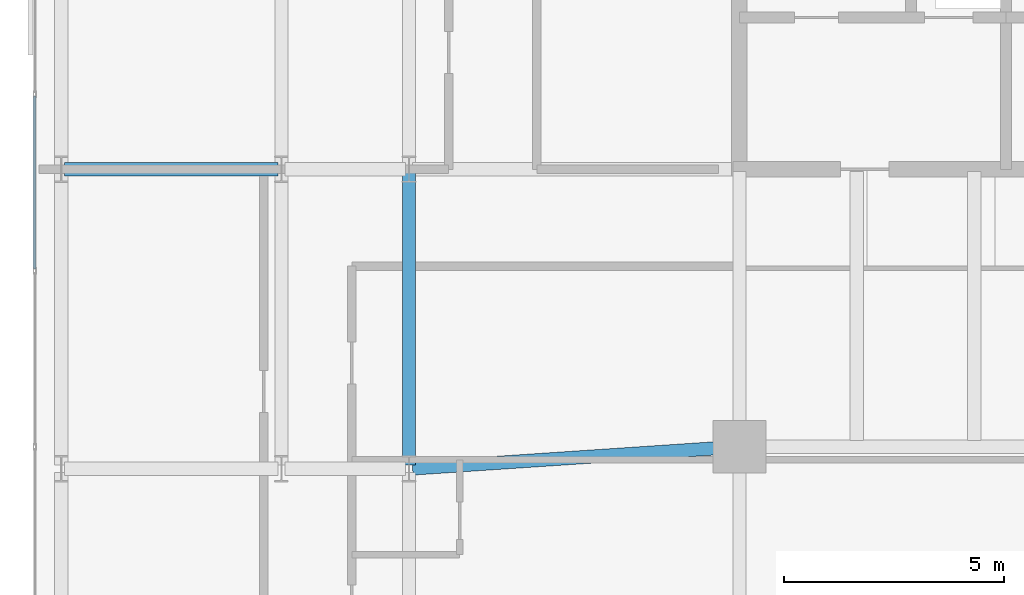
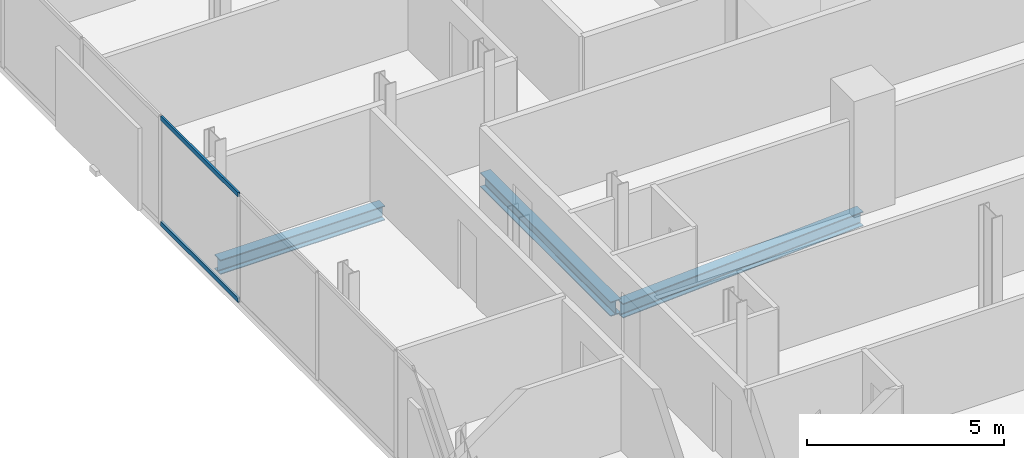
# One storey, part 10 of 32: 3 beams, 2 members, 1 element without a shape of its own.
"""IFC4 building model written with IfcOpenShell, lengths in metres."""

from ifc_helpers import new_model, si_unit, direction, frame, origin, origin_2d, place, context, subcontext, project, spatial, hollow_rectangle, i_section, extrude, material, layer, layer_set, material_profile, profile_set, type_object, element, aggregate, save


model = new_model("IFC4")

# Units and contexts
model_context = context("Model", 3, precision=1e-05, world=origin(), true_north=direction((0.0, 1.0)))
body_context = subcontext(model_context, "Body", "Model", "MODEL_VIEW")
ifc_project = project(units=[si_unit("LENGTHUNIT", "METRE"), si_unit("AREAUNIT", "SQUARE_METRE"), si_unit("VOLUMEUNIT", "CUBIC_METRE"), si_unit("PLANEANGLEUNIT", "RADIAN"), si_unit("MASSUNIT", "GRAM", prefix="KILO")], contexts=[model_context])

# Site, building, storey
site_placement = place(None, origin())
site = spatial("IfcSite", under=ifc_project, at=site_placement, CompositionType="ELEMENT")
building_placement = place(site_placement, origin())
building = spatial("IfcBuilding", under=site, at=building_placement, Name="Catumbela Crestline Tower", CompositionType="ELEMENT")
storey_placement = place(building_placement, frame((0.0, 0.0, 122.4)))
storey = spatial("IfcBuildingStorey", under=building, at=storey_placement, Name="L31", CompositionType="ELEMENT", Elevation=122.4)

# Beams
ifc_material_1 = material(Name="Structural steel S355J2", Category="steel")
ifc_material_profile_1 = material_profile(ifc_material_1, i_section(OverallWidth=0.3, OverallDepth=0.45, WebThickness=0.014, FlangeThickness=0.026, FilletRadius=0.027, at=origin_2d()), Name="HEB 450")
ifc_profile_set_1 = profile_set([ifc_material_profile_1], Name="Structural steel S355J2")
beam_type = type_object("IfcBeamType", Name="BG-HEB450", PredefinedType="BEAM", material=ifc_profile_set_1)
beam_1_placement = place(storey_placement, frame((8.5798, 24.0053, -0.485), z_axis=(0.997784796964, 0.066524423687, 0.0), x_axis=(-0.066524423687, 0.997784796964, 0.0)))
element("IfcBeam", 1, at=beam_1_placement, inside=storey, type_object=beam_type, Name="L31 Beam BM-L31-S03", PredefinedType="BEAM", context=body_context, shape_type="SweptSolid", body=[
    extrude(i_section(OverallWidth=0.3, OverallDepth=0.45, WebThickness=0.014, FlangeThickness=0.026, FilletRadius=0.027, at=origin_2d()), origin(), (0.0, 0.0, 1.0), 7.3567),
])
beam_2_placement = place(storey_placement, frame((0.68, 30.8, -0.485), z_axis=(1.0, 0.0, 0.0), x_axis=(0.0, 1.0, 0.0)))
element("IfcBeam", 2, at=beam_2_placement, inside=storey, type_object=beam_type, Name="L31 Beam BM-L31-M07", PredefinedType="BEAM", context=body_context, shape_type="SweptSolid", body=[
    extrude(i_section(OverallWidth=0.3, OverallDepth=0.45, WebThickness=0.014, FlangeThickness=0.026, FilletRadius=0.027, at=origin_2d()), origin(), (0.0, 0.0, 1.0), 4.84),
])
beam_3_placement = place(storey_placement, frame((8.5, 24.08, -0.485), z_axis=(0.0, 1.0, 0.0), x_axis=(-1.0, 0.0, 0.0)))
element("IfcBeam", 3, at=beam_3_placement, inside=storey, type_object=beam_type, Name="L31 Beam BM-L31-SN26", PredefinedType="BEAM", context=body_context, shape_type="SweptSolid", body=[
    extrude(i_section(OverallWidth=0.3, OverallDepth=0.45, WebThickness=0.014, FlangeThickness=0.026, FilletRadius=0.027, at=origin_2d()), origin(), (0.0, 0.0, 1.0), 6.64),
])

# Curtain wall, members
ifc_material_2 = material(Name="Aluminium alloy AW-6060-T66", Category="aluminium")
ifc_layer = layer(ifc_material_2, 0.18, Name="Aluminium alloy AW-6060-T66")
ifc_layer_set = layer_set([ifc_layer], Name="Aluminium alloy AW-6060-T66")
curtain_wall_type = type_object("IfcCurtainWallType", Name="CWU-Z2", PredefinedType="USERDEFINED", material=ifc_layer_set)
curtain_wall_placement = place(storey_placement, origin())
curtain_wall = element("IfcCurtainWall", 4, at=curtain_wall_placement, inside=storey, type_object=curtain_wall_type, Name="L31 Unitised Curtain Wall CW-L31-E9S1", ObjectType="UNITISED", PredefinedType="USERDEFINED")
ifc_material_profile_2 = material_profile(ifc_material_2, hollow_rectangle(XDim=0.06, YDim=0.14, WallThickness=0.004, at=origin_2d()), Name="ALU 140x60x4")
ifc_profile_set_2 = profile_set([ifc_material_profile_2], Name="Aluminium alloy AW-6060-T66")
member_type = type_object("IfcMemberType", Name="TRN-140X60", PredefinedType="USERDEFINED", material=ifc_profile_set_2)
member_1_placement = place(storey_placement, frame((0.0, 32.4675, 0.03), z_axis=(0.0, -1.0, 0.0), x_axis=(1.0, 0.0, 0.0)))
member_1 = element("IfcMember", 5, at=member_1_placement, type_object=member_type, Name="CWU-Z2 transom 4.1", ObjectType="TRANSOM", PredefinedType="USERDEFINED", context=body_context, shape_type="SweptSolid", body=[
    extrude(hollow_rectangle(XDim=0.06, YDim=0.14, WallThickness=0.004, at=origin_2d()), origin(), (0.0, 0.0, 1.0), 3.935),
])
member_2_placement = place(storey_placement, frame((0.0, 32.4675, 3.3), z_axis=(0.0, -1.0, 0.0), x_axis=(1.0, 0.0, 0.0)))
member_2 = element("IfcMember", 6, at=member_2_placement, type_object=member_type, Name="CWU-Z2 transom 4.2", ObjectType="TRANSOM", PredefinedType="USERDEFINED", context=body_context, shape_type="SweptSolid", body=[
    extrude(hollow_rectangle(XDim=0.06, YDim=0.14, WallThickness=0.004, at=origin_2d()), origin(), (0.0, 0.0, 1.0), 3.935),
])
aggregate(curtain_wall, [member_1, member_2])

save(model, "model.ifc")
